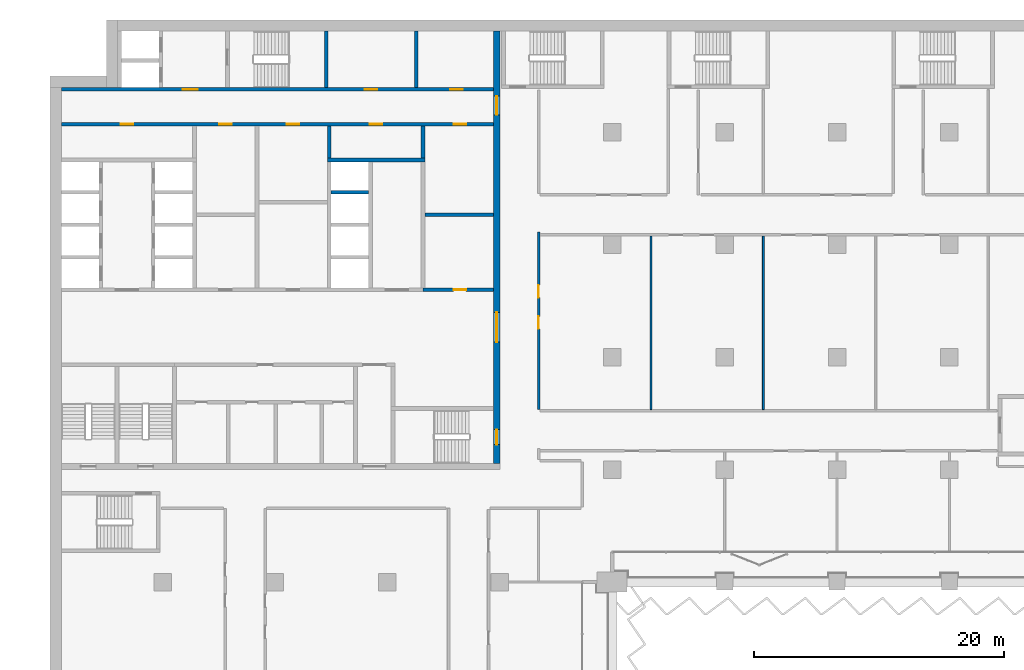
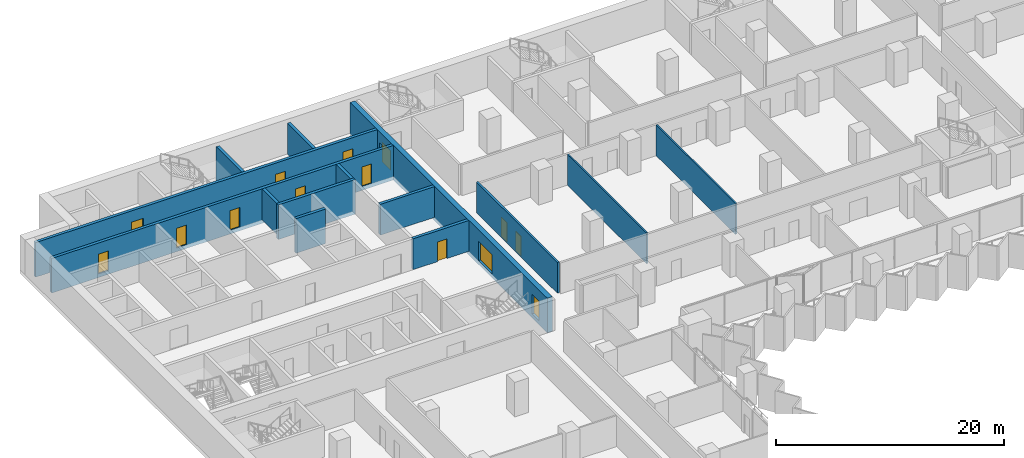
# One storey, part 15 of 28: 14 doors, 14 walls, 14 openings.
"""IFC4 building model written with IfcOpenShell, lengths in metres."""

from ifc_helpers import new_model, si_unit, direction, frame, frame_2d, origin, place, context, subcontext, project, spatial, rectangle, extrude, material, layer, layer_set, type_object, element, fill, save


model = new_model("IFC4")

# Units and contexts
model_context = context("Model", 3, precision=1e-05, world=origin(), true_north=direction((0.0, 1.0)))
body_context = subcontext(model_context, "Body", "Model", "MODEL_VIEW")
ifc_project = project(units=[si_unit("LENGTHUNIT", "METRE"), si_unit("AREAUNIT", "SQUARE_METRE"), si_unit("VOLUMEUNIT", "CUBIC_METRE"), si_unit("PLANEANGLEUNIT", "RADIAN"), si_unit("MASSUNIT", "GRAM", prefix="KILO")], contexts=[model_context])

# Site, building, storey
site_placement = place(None, origin())
site = spatial("IfcSite", under=ifc_project, at=site_placement, CompositionType="ELEMENT")
building_placement = place(site_placement, origin())
building = spatial("IfcBuilding", under=site, at=building_placement, Name="Hunhe Ridgeline Campus", CompositionType="ELEMENT")
storey_placement = place(building_placement, frame((0.0, 0.0, 43.199951171875)))
storey = spatial("IfcBuildingStorey", under=building, at=storey_placement, Name="L09", CompositionType="ELEMENT", Elevation=43.199951171875)

# Wall, opening, door
ifc_material_1 = material(Name="Masonry concrete blockwork", Category="masonry")
ifc_layer_1 = layer(ifc_material_1, 0.300048828125)
ifc_layer_set_1 = layer_set([ifc_layer_1], Name="Core room partition 300 concrete block")
wall_type_1 = type_object("IfcWallType", Name="Core room partition 300 concrete block", PredefinedType="PARTITIONING", material=ifc_layer_set_1)
wall_1_placement = place(storey_placement, frame((29.85009765625, 77.39990234375, 0.0), z_axis=(0.0, 0.0, 1.0), x_axis=(1.0, 0.0, 0.0)))
wall_1 = element("IfcWall", 1, at=wall_1_placement, inside=storey, type_object=wall_type_1, Name="L09 core partition 15", PredefinedType="PARTITIONING", context=body_context, shape_type="SweptSolid", body=[
    extrude(rectangle(XDim=5.64990234375, YDim=0.300048828125, at=frame_2d((2.824951171875, 0.0))), origin(), (0.0, 0.0, 1.0), 3.300048828125),
])
opening_1_placement = place(wall_1_placement, frame((2.449951171875, 0.0, 0.0)))
opening_1 = element("IfcOpeningElement", 2, at=opening_1_placement, cuts=wall_1, Name="Opening CD32", PredefinedType="OPENING", context=body_context, shape_type="SweptSolid", body=[
    extrude(rectangle(XDim=1.0, YDim=2.10009765625, at=frame_2d((0.5, 1.050048828125))), frame((0.0, 0.14990234375, 0.0), z_axis=(0.0, -1.0, 0.0), x_axis=(1.0, 0.0, 0.0)), (0.0, 0.0, 1.0), 0.300048828125),
])
ifc_material_2 = material(Name="Solid core timber door leaf", Category="wood")
door_type_1 = type_object("IfcDoorType", Name="Timber door 1000x2100", OperationType="SINGLE_SWING_LEFT", PredefinedType="DOOR", material=ifc_material_2)
door_1_placement = place(opening_1_placement, origin())
door_1 = element("IfcDoor", 3, at=door_1_placement, inside=storey, type_object=door_type_1, Name="L09 door ES0", OperationType="SINGLE_SWING_RIGHT", OverallHeight=2.10009765625, OverallWidth=1.0, PredefinedType="DOOR", context=body_context, shape_type="SweptSolid", body=[
    extrude(rectangle(XDim=1.0, YDim=2.10009765625, at=frame_2d((0.5, 1.050048828125))), frame((0.0, 0.02490234375, 0.0), z_axis=(0.0, -1.0, 0.0), x_axis=(1.0, 0.0, 0.0)), (0.0, 0.0, 1.0), 0.050048828125),
])
fill(opening_1, door_1)

# Walls
wall_2_placement = place(storey_placement, frame((30.0, 83.39990234375, 0.0), z_axis=(0.0, 0.0, 1.0), x_axis=(1.0, 0.0, 0.0)))
element("IfcWall", 4, at=wall_2_placement, inside=storey, type_object=wall_type_1, Name="L09 core partition 23", PredefinedType="PARTITIONING", context=body_context, shape_type="SweptSolid", body=[
    extrude(rectangle(XDim=5.5, YDim=0.300048828125, at=frame_2d((2.75, 0.0))), origin(), (0.0, 0.0, 1.0), 3.300048828125),
])
wall_3_placement = place(storey_placement, frame((22.35009765625, 87.949951171875, 0.0), z_axis=(0.0, 0.0, 1.0), x_axis=(0.0, 1.0, 0.0)))
element("IfcWall", 5, at=wall_3_placement, inside=storey, type_object=wall_type_1, Name="L09 core partition 55", PredefinedType="PARTITIONING", context=body_context, shape_type="SweptSolid", body=[
    extrude(rectangle(XDim=2.550048828125, YDim=0.300048828125, at=frame_2d((1.27490234375, 0.0))), origin(), (0.0, 0.0, 1.0), 3.300048828125),
])
wall_4_placement = place(storey_placement, frame((29.300048828125, 93.60009765625, 0.0), z_axis=(0.0, 0.0, 1.0), x_axis=(0.0, 1.0, 0.0)))
element("IfcWall", 6, at=wall_4_placement, inside=storey, type_object=wall_type_1, Name="L09 core partition 61", PredefinedType="PARTITIONING", context=body_context, shape_type="SweptSolid", body=[
    extrude(rectangle(XDim=4.5, YDim=0.300048828125, at=frame_2d((2.25, 0.0))), origin(), (0.0, 0.0, 1.0), 3.300048828125),
])
wall_5_placement = place(storey_placement, frame((29.85009765625, 87.949951171875, 0.0), z_axis=(0.0, 0.0, 1.0), x_axis=(0.0, 1.0, 0.0)))
element("IfcWall", 7, at=wall_5_placement, inside=storey, type_object=wall_type_1, Name="L09 core partition 63", PredefinedType="PARTITIONING", context=body_context, shape_type="SweptSolid", body=[
    extrude(rectangle(XDim=2.550048828125, YDim=0.300048828125, at=frame_2d((1.27490234375, 0.0))), origin(), (0.0, 0.0, 1.0), 3.300048828125),
])

# Wall, openings, doors
ifc_material_3 = material(Name="Concrete C80", Category="concrete")
ifc_layer_2 = layer(ifc_material_3, 0.5)
ifc_layer_set_2 = layer_set([ifc_layer_2], Name="Core wall 500 reinforced concrete C80")
wall_type_2 = type_object("IfcWallType", Name="Core wall 500 reinforced concrete C80", PredefinedType="SOLIDWALL", material=ifc_layer_set_2)
wall_6_placement = place(storey_placement, frame((35.75, 63.5, -0.39990234375), z_axis=(0.0, 0.0, 1.0), x_axis=(0.0, 1.0, 0.0)))
wall_6 = element("IfcWall", 8, at=wall_6_placement, inside=storey, type_object=wall_type_2, Name="L09 core wall 64", PredefinedType="SOLIDWALL", context=body_context, shape_type="SweptSolid", body=[
    extrude(rectangle(XDim=34.60009765625, YDim=0.5, at=frame_2d((17.300048828125, 0.0))), origin(), (0.0, 0.0, 1.0), 3.699951171875),
])
opening_2_placement = place(wall_6_placement, frame((9.699951171875, 0.0, 0.39990234375)))
opening_2 = element("IfcOpeningElement", 9, at=opening_2_placement, cuts=wall_6, Name="Opening CD4", PredefinedType="OPENING", context=body_context, shape_type="SweptSolid", body=[
    extrude(rectangle(XDim=2.39990234375, YDim=2.10009765625, at=frame_2d((1.199951171875, 1.050048828125))), frame((0.0, 0.25, 0.0), z_axis=(0.0, -1.0, 0.0), x_axis=(1.0, 0.0, 0.0)), (0.0, 0.0, 1.0), 0.5),
])
opening_3_placement = place(wall_6_placement, frame((27.89990234375, 0.0, 0.39990234375)))
opening_3 = element("IfcOpeningElement", 10, at=opening_3_placement, cuts=wall_6, Name="Opening CD5", PredefinedType="OPENING", context=body_context, shape_type="SweptSolid", body=[
    extrude(rectangle(XDim=1.5, YDim=2.10009765625, at=frame_2d((0.75, 1.050048828125))), frame((0.0, 0.25, 0.0), z_axis=(0.0, -1.0, 0.0), x_axis=(1.0, 0.0, 0.0)), (0.0, 0.0, 1.0), 0.5),
])
opening_4_placement = place(wall_6_placement, frame((1.5, 0.0, 0.39990234375)))
opening_4 = element("IfcOpeningElement", 11, at=opening_4_placement, cuts=wall_6, Name="Opening CD15", PredefinedType="OPENING", context=body_context, shape_type="SweptSolid", body=[
    extrude(rectangle(XDim=1.199951171875, YDim=2.10009765625, at=frame_2d((0.60009765625, 1.050048828125))), frame((0.0, 0.25, 0.0), z_axis=(0.0, -1.0, 0.0), x_axis=(1.0, 0.0, 0.0)), (0.0, 0.0, 1.0), 0.5),
])
ifc_material_4 = material(Name="Anodised aluminium and glass", Category="aluminium")
door_type_2 = type_object("IfcDoorType", Name="Glazed double door 2400x2100", OperationType="DOUBLE_DOOR_SINGLE_SWING", PredefinedType="DOOR", material=ifc_material_4)
door_2_placement = place(opening_2_placement, frame((2.39990234375, 0.0, 0.0), z_axis=(0.0, 0.0, 1.0), x_axis=(-1.0, 0.0, 0.0)))
door_2 = element("IfcDoor", 12, at=door_2_placement, inside=storey, type_object=door_type_2, Name="L09 door HALL-FLOOR", OperationType="DOUBLE_DOOR_SINGLE_SWING", OverallHeight=2.10009765625, OverallWidth=2.39990234375, PredefinedType="DOOR", context=body_context, shape_type="SweptSolid", body=[
    extrude(rectangle(XDim=2.39990234375, YDim=2.10009765625, at=frame_2d((1.199951171875, 1.050048828125))), frame((0.0, 0.02490234375, 0.0), z_axis=(0.0, -1.0, 0.0), x_axis=(1.0, 0.0, 0.0)), (0.0, 0.0, 1.0), 0.050048828125),
])
fill(opening_2, door_2)
ifc_material_5 = material(Name="Hollow metal fire door leaf")
door_type_3 = type_object("IfcDoorType", Name="Stair door 1200x2100 FD60", OperationType="SINGLE_SWING_LEFT", PredefinedType="DOOR", material=ifc_material_5)
door_3_placement = place(opening_4_placement, frame((1.199951171875, 0.0, 0.0), z_axis=(0.0, 0.0, 1.0), x_axis=(-1.0, 0.0, 0.0)))
door_3 = element("IfcDoor", 13, at=door_3_placement, inside=storey, type_object=door_type_3, Name="L09 door S2-FLOOR", OperationType="SINGLE_SWING_RIGHT", OverallHeight=2.10009765625, OverallWidth=1.199951171875, PredefinedType="DOOR", context=body_context, shape_type="SweptSolid", body=[
    extrude(rectangle(XDim=1.199951171875, YDim=2.10009765625, at=frame_2d((0.60009765625, 1.050048828125))), frame((0.0, 0.02490234375, 0.0), z_axis=(0.0, -1.0, 0.0), x_axis=(1.0, 0.0, 0.0)), (0.0, 0.0, 1.0), 0.050048828125),
])
fill(opening_4, door_3)
door_type_4 = type_object("IfcDoorType", Name="Timber door 1500x2100", OperationType="SINGLE_SWING_LEFT", PredefinedType="DOOR", material=ifc_material_2)
door_4_placement = place(opening_3_placement, frame((1.5, 0.0, 0.0), z_axis=(0.0, 0.0, 1.0), x_axis=(-1.0, 0.0, 0.0)))
door_4 = element("IfcDoor", 14, at=door_4_placement, inside=storey, type_object=door_type_4, Name="L09 door C1-FLOOR", OperationType="SINGLE_SWING_RIGHT", OverallHeight=2.10009765625, OverallWidth=1.5, PredefinedType="DOOR", context=body_context, shape_type="SweptSolid", body=[
    extrude(rectangle(XDim=1.5, YDim=2.10009765625, at=frame_2d((0.75, 1.050048828125))), frame((0.0, 0.02490234375, 0.0), z_axis=(0.0, -1.0, 0.0), x_axis=(1.0, 0.0, 0.0)), (0.0, 0.0, 1.0), 0.050048828125),
])
fill(opening_3, door_4)

ifc_material_6 = material(Name="Gypsum board partition")
ifc_layer_3 = layer(ifc_material_6, 0.199951171875)
ifc_layer_set_3 = layer_set([ifc_layer_3], Name="Corridor partition 200 gypsum board on steel studs")
wall_type_3 = type_object("IfcWallType", Name="Corridor partition 200 gypsum board on steel studs", PredefinedType="PARTITIONING", material=ifc_layer_set_3)
wall_7_placement = place(storey_placement, frame((39.10009765625, 82.012451171875, 0.0), z_axis=(0.0, 0.0, 1.0), x_axis=(0.0, -1.0, 0.0)))
wall_7 = element("IfcWall", 15, at=wall_7_placement, inside=storey, type_object=wall_type_3, Name="F-L09-wall-055", PredefinedType="PARTITIONING", context=body_context, shape_type="SweptSolid", body=[
    extrude(rectangle(XDim=14.21240234375, YDim=0.199951171875, at=frame_2d((7.106201171875, 0.0))), origin(), (0.0, 0.0, 1.0), 3.300048828125),
])
opening_5_placement = place(wall_7_placement, frame((6.733154296875, 0.0, 0.0)))
opening_5 = element("IfcOpeningElement", 16, at=opening_5_placement, cuts=wall_7, Name="Opening RD1-032", PredefinedType="OPENING", context=body_context, shape_type="SweptSolid", body=[
    extrude(rectangle(XDim=1.0, YDim=2.10009765625, at=frame_2d((0.5, 1.050048828125))), frame((0.0, 0.10009765625, 0.0), z_axis=(0.0, -1.0, 0.0), x_axis=(1.0, 0.0, 0.0)), (0.0, 0.0, 1.0), 0.199951171875),
])
opening_6_placement = place(wall_7_placement, frame((4.233154296875, 0.0, 0.0)))
opening_6 = element("IfcOpeningElement", 17, at=opening_6_placement, cuts=wall_7, Name="Opening RD1-035", PredefinedType="OPENING", context=body_context, shape_type="SweptSolid", body=[
    extrude(rectangle(XDim=1.0, YDim=2.10009765625, at=frame_2d((0.5, 1.050048828125))), frame((0.0, 0.10009765625, 0.0), z_axis=(0.0, -1.0, 0.0), x_axis=(1.0, 0.0, 0.0)), (0.0, 0.0, 1.0), 0.199951171875),
])
ifc_material_7 = material(Name="Timber door leaf", Category="wood")
door_type_5 = type_object("IfcDoorType", Name="Single fire door 1000x2100 timber FD60", OperationType="NOTDEFINED", PredefinedType="DOOR", material=ifc_material_7)
door_5_placement = place(opening_5_placement, frame((1.0, 0.0, 0.0), z_axis=(0.0, 0.0, 1.0), x_axis=(-1.0, 0.0, 0.0)))
door_5 = element("IfcDoor", 18, at=door_5_placement, inside=storey, type_object=door_type_5, Name="F-L09-door-032", OperationType="SINGLE_SWING_LEFT", OverallHeight=2.10009765625, OverallWidth=1.0, PredefinedType="DOOR", context=body_context, shape_type="SweptSolid", body=[
    extrude(rectangle(XDim=1.0, YDim=2.10009765625, at=frame_2d((0.5, 1.050048828125))), frame((0.0, 0.02490234375, 0.0), z_axis=(0.0, -1.0, 0.0), x_axis=(1.0, 0.0, 0.0)), (0.0, 0.0, 1.0), 0.050048828125),
])
fill(opening_5, door_5)
door_6_placement = place(opening_6_placement, frame((1.0, 0.0, 0.0), z_axis=(0.0, 0.0, 1.0), x_axis=(-1.0, 0.0, 0.0)))
door_6 = element("IfcDoor", 19, at=door_6_placement, inside=storey, type_object=door_type_5, Name="F-L09-door-035", OperationType="SINGLE_SWING_RIGHT", OverallHeight=2.10009765625, OverallWidth=1.0, PredefinedType="DOOR", context=body_context, shape_type="SweptSolid", body=[
    extrude(rectangle(XDim=1.0, YDim=2.10009765625, at=frame_2d((0.5, 1.050048828125))), frame((0.0, 0.02490234375, 0.0), z_axis=(0.0, -1.0, 0.0), x_axis=(1.0, 0.0, 0.0)), (0.0, 0.0, 1.0), 0.050048828125),
])
fill(opening_6, door_6)

ifc_layer_4 = layer(ifc_material_3, 0.300048828125)
ifc_layer_set_4 = layer_set([ifc_layer_4], Name="Lobby wall 300 reinforced concrete C80")
wall_type_4 = type_object("IfcWallType", Name="Lobby wall 300 reinforced concrete C80", PredefinedType="SOLIDWALL", material=ifc_layer_set_4)
wall_8_placement = place(storey_placement, frame((0.89990234375, 90.64990234375, -0.39990234375), z_axis=(0.0, 0.0, 1.0), x_axis=(1.0, 0.0, 0.0)))
wall_8 = element("IfcWall", 20, at=wall_8_placement, inside=storey, type_object=wall_type_4, Name="L09 core wall 30", PredefinedType="SOLIDWALL", context=body_context, shape_type="SweptSolid", body=[
    extrude(rectangle(XDim=34.60009765625, YDim=0.300048828125, at=frame_2d((17.300048828125, 0.0))), origin(), (0.0, 0.0, 1.0), 3.699951171875),
])
opening_7_placement = place(wall_8_placement, frame((4.75, 0.0, 0.39990234375)))
opening_7 = element("IfcOpeningElement", 21, at=opening_7_placement, cuts=wall_8, Name="Opening CD26", PredefinedType="OPENING", context=body_context, shape_type="SweptSolid", body=[
    extrude(rectangle(XDim=1.0, YDim=2.10009765625, at=frame_2d((0.5, 1.050048828125))), frame((0.0, 0.14990234375, 0.0), z_axis=(0.0, -1.0, 0.0), x_axis=(1.0, 0.0, 0.0)), (0.0, 0.0, 1.0), 0.300048828125),
])
opening_8_placement = place(wall_8_placement, frame((24.699951171875, 0.0, 0.39990234375)))
opening_8 = element("IfcOpeningElement", 22, at=opening_8_placement, cuts=wall_8, Name="Opening CD27", PredefinedType="OPENING", context=body_context, shape_type="SweptSolid", body=[
    extrude(rectangle(XDim=1.0, YDim=2.10009765625, at=frame_2d((0.5, 1.050048828125))), frame((0.0, 0.14990234375, 0.0), z_axis=(0.0, -1.0, 0.0), x_axis=(1.0, 0.0, 0.0)), (0.0, 0.0, 1.0), 0.300048828125),
])
opening_9_placement = place(wall_8_placement, frame((12.64990234375, 0.0, 0.39990234375)))
opening_9 = element("IfcOpeningElement", 23, at=opening_9_placement, cuts=wall_8, Name="Opening CD29", PredefinedType="OPENING", context=body_context, shape_type="SweptSolid", body=[
    extrude(rectangle(XDim=1.0, YDim=2.10009765625, at=frame_2d((0.5, 1.050048828125))), frame((0.0, 0.14990234375, 0.0), z_axis=(0.0, -1.0, 0.0), x_axis=(1.0, 0.0, 0.0)), (0.0, 0.0, 1.0), 0.300048828125),
])
opening_10_placement = place(wall_8_placement, frame((18.050048828125, 0.0, 0.39990234375)))
opening_10 = element("IfcOpeningElement", 24, at=opening_10_placement, cuts=wall_8, Name="Opening CD31", PredefinedType="OPENING", context=body_context, shape_type="SweptSolid", body=[
    extrude(rectangle(XDim=1.0, YDim=2.10009765625, at=frame_2d((0.5, 1.050048828125))), frame((0.0, 0.14990234375, 0.0), z_axis=(0.0, -1.0, 0.0), x_axis=(1.0, 0.0, 0.0)), (0.0, 0.0, 1.0), 0.300048828125),
])
opening_11_placement = place(wall_8_placement, frame((31.39990234375, 0.0, 0.39990234375)))
opening_11 = element("IfcOpeningElement", 25, at=opening_11_placement, cuts=wall_8, Name="Opening CD33", PredefinedType="OPENING", context=body_context, shape_type="SweptSolid", body=[
    extrude(rectangle(XDim=1.0, YDim=2.10009765625, at=frame_2d((0.5, 1.050048828125))), frame((0.0, 0.14990234375, 0.0), z_axis=(0.0, -1.0, 0.0), x_axis=(1.0, 0.0, 0.0)), (0.0, 0.0, 1.0), 0.300048828125),
])
door_7_placement = place(opening_7_placement, frame((1.0, 0.0, 0.0), z_axis=(0.0, 0.0, 1.0), x_axis=(-1.0, 0.0, 0.0)))
door_7 = element("IfcDoor", 26, at=door_7_placement, inside=storey, type_object=door_type_1, Name="L09 door NR-0", OperationType="SINGLE_SWING_RIGHT", OverallHeight=2.10009765625, OverallWidth=1.0, PredefinedType="DOOR", context=body_context, shape_type="SweptSolid", body=[
    extrude(rectangle(XDim=1.0, YDim=2.10009765625, at=frame_2d((0.5, 1.050048828125))), frame((0.0, 0.02490234375, 0.0), z_axis=(0.0, -1.0, 0.0), x_axis=(1.0, 0.0, 0.0)), (0.0, 0.0, 1.0), 0.050048828125),
])
fill(opening_7, door_7)
door_8_placement = place(opening_8_placement, frame((1.0, 0.0, 0.0), z_axis=(0.0, 0.0, 1.0), x_axis=(-1.0, 0.0, 0.0)))
door_8 = element("IfcDoor", 27, at=door_8_placement, inside=storey, type_object=door_type_1, Name="L09 door NR-1", OperationType="SINGLE_SWING_LEFT", OverallHeight=2.10009765625, OverallWidth=1.0, PredefinedType="DOOR", context=body_context, shape_type="SweptSolid", body=[
    extrude(rectangle(XDim=1.0, YDim=2.10009765625, at=frame_2d((0.5, 1.050048828125))), frame((0.0, 0.02490234375, 0.0), z_axis=(0.0, -1.0, 0.0), x_axis=(1.0, 0.0, 0.0)), (0.0, 0.0, 1.0), 0.050048828125),
])
fill(opening_8, door_8)
door_9_placement = place(opening_9_placement, frame((1.0, 0.0, 0.0), z_axis=(0.0, 0.0, 1.0), x_axis=(-1.0, 0.0, 0.0)))
door_9 = element("IfcDoor", 28, at=door_9_placement, inside=storey, type_object=door_type_1, Name="L09 door VD-HR1", OperationType="SINGLE_SWING_LEFT", OverallHeight=2.10009765625, OverallWidth=1.0, PredefinedType="DOOR", context=body_context, shape_type="SweptSolid", body=[
    extrude(rectangle(XDim=1.0, YDim=2.10009765625, at=frame_2d((0.5, 1.050048828125))), frame((0.0, 0.02490234375, 0.0), z_axis=(0.0, -1.0, 0.0), x_axis=(1.0, 0.0, 0.0)), (0.0, 0.0, 1.0), 0.050048828125),
])
fill(opening_9, door_9)
door_10_placement = place(opening_10_placement, frame((1.0, 0.0, 0.0), z_axis=(0.0, 0.0, 1.0), x_axis=(-1.0, 0.0, 0.0)))
door_10 = element("IfcDoor", 29, at=door_10_placement, inside=storey, type_object=door_type_1, Name="L09 door VD-HR3", OperationType="SINGLE_SWING_LEFT", OverallHeight=2.10009765625, OverallWidth=1.0, PredefinedType="DOOR", context=body_context, shape_type="SweptSolid", body=[
    extrude(rectangle(XDim=1.0, YDim=2.10009765625, at=frame_2d((0.5, 1.050048828125))), frame((0.0, 0.02490234375, 0.0), z_axis=(0.0, -1.0, 0.0), x_axis=(1.0, 0.0, 0.0)), (0.0, 0.0, 1.0), 0.050048828125),
])
fill(opening_10, door_10)
door_11_placement = place(opening_11_placement, frame((1.0, 0.0, 0.0), z_axis=(0.0, 0.0, 1.0), x_axis=(-1.0, 0.0, 0.0)))
door_11 = element("IfcDoor", 30, at=door_11_placement, inside=storey, type_object=door_type_1, Name="L09 door ES1", OperationType="SINGLE_SWING_RIGHT", OverallHeight=2.10009765625, OverallWidth=1.0, PredefinedType="DOOR", context=body_context, shape_type="SweptSolid", body=[
    extrude(rectangle(XDim=1.0, YDim=2.10009765625, at=frame_2d((0.5, 1.050048828125))), frame((0.0, 0.02490234375, 0.0), z_axis=(0.0, -1.0, 0.0), x_axis=(1.0, 0.0, 0.0)), (0.0, 0.0, 1.0), 0.050048828125),
])
fill(opening_11, door_11)

# Walls
ifc_layer_5 = layer(ifc_material_6, 0.14990234375)
ifc_layer_set_5 = layer_set([ifc_layer_5], Name="Room partition 150 gypsum board on steel studs")
wall_type_5 = type_object("IfcWallType", Name="Room partition 150 gypsum board on steel studs", PredefinedType="PARTITIONING", material=ifc_layer_set_5)
for number, where, z_axis, x_axis, name in (
    (31, (48.10009765625, 81.699951171875, 0.0), (0.0, 0.0, 1.0), (0.0, -1.0, 0.0), "F-L09-wall-058"),
    (32, (57.10009765625, 81.699951171875, 0.0), (0.0, 0.0, 1.0), (0.0, -1.0, 0.0), "F-L09-wall-063"),
):
    element("IfcWall", number, at=place(storey_placement, frame(where, z_axis=z_axis, x_axis=x_axis)), inside=storey, type_object=wall_type_5, Name=name, PredefinedType="PARTITIONING", context=body_context, shape_type="SweptSolid", body=[
        extrude(rectangle(XDim=13.89990234375, YDim=0.14990234375, at=frame_2d((6.949951171875, 0.0))), origin(), (0.0, 0.0, 1.0), 3.300048828125),
    ])
ifc_layer_6 = layer(ifc_material_3, 0.300048828125)
ifc_layer_set_6 = layer_set([ifc_layer_6], Name="Shaft wall 300 reinforced concrete C80")
wall_type_6 = type_object("IfcWallType", Name="Shaft wall 300 reinforced concrete C80", PredefinedType="SOLIDWALL", material=ifc_layer_set_6)
wall_9_placement = place(storey_placement, frame((22.5, 85.199951171875, -0.39990234375), z_axis=(0.0, 0.0, 1.0), x_axis=(1.0, 0.0, 0.0)))
element("IfcWall", 33, at=wall_9_placement, inside=storey, type_object=wall_type_6, Name="L09 core wall 27", PredefinedType="SOLIDWALL", context=body_context, shape_type="SweptSolid", body=[
    extrude(rectangle(XDim=3.0, YDim=0.300048828125, at=frame_2d((1.5, 0.0))), origin(), (0.0, 0.0, 1.0), 3.699951171875),
])
wall_10_placement = place(storey_placement, frame((22.199951171875, 87.800048828125, -0.39990234375), z_axis=(0.0, 0.0, 1.0), x_axis=(1.0, 0.0, 0.0)))
element("IfcWall", 34, at=wall_10_placement, inside=storey, type_object=wall_type_6, Name="L09 core wall 29", PredefinedType="SOLIDWALL", context=body_context, shape_type="SweptSolid", body=[
    extrude(rectangle(XDim=7.800048828125, YDim=0.300048828125, at=frame_2d((3.89990234375, 0.0))), origin(), (0.0, 0.0, 1.0), 3.699951171875),
])

# Wall, openings, doors
wall_11_placement = place(storey_placement, frame((0.89990234375, 93.449951171875, -0.39990234375), z_axis=(0.0, 0.0, 1.0), x_axis=(1.0, 0.0, 0.0)))
wall_11 = element("IfcWall", 35, at=wall_11_placement, inside=storey, type_object=wall_type_6, Name="L09 core wall 31", PredefinedType="SOLIDWALL", context=body_context, shape_type="SweptSolid", body=[
    extrude(rectangle(XDim=34.60009765625, YDim=0.300048828125, at=frame_2d((17.300048828125, 0.0))), origin(), (0.0, 0.0, 1.0), 3.699951171875),
])
opening_12_placement = place(wall_11_placement, frame((9.699951171875, 0.0, 0.39990234375)))
opening_12 = element("IfcOpeningElement", 36, at=opening_12_placement, cuts=wall_11, Name="Opening CD3", PredefinedType="OPENING", context=body_context, shape_type="SweptSolid", body=[
    extrude(rectangle(XDim=1.199951171875, YDim=2.10009765625, at=frame_2d((0.60009765625, 1.050048828125))), frame((0.0, 0.14990234375, 0.0), z_axis=(0.0, -1.0, 0.0), x_axis=(1.0, 0.0, 0.0)), (0.0, 0.0, 1.0), 0.300048828125),
])
opening_13_placement = place(wall_11_placement, frame((24.300048828125, 0.0, 0.39990234375)))
opening_13 = element("IfcOpeningElement", 37, at=opening_13_placement, cuts=wall_11, Name="Opening CD34", PredefinedType="OPENING", context=body_context, shape_type="SweptSolid", body=[
    extrude(rectangle(XDim=1.0, YDim=2.10009765625, at=frame_2d((0.5, 1.050048828125))), frame((0.0, 0.14990234375, 0.0), z_axis=(0.0, -1.0, 0.0), x_axis=(1.0, 0.0, 0.0)), (0.0, 0.0, 1.0), 0.300048828125),
])
opening_14_placement = place(wall_11_placement, frame((31.125, 0.0, 0.39990234375)))
opening_14 = element("IfcOpeningElement", 38, at=opening_14_placement, cuts=wall_11, Name="Opening CD35", PredefinedType="OPENING", context=body_context, shape_type="SweptSolid", body=[
    extrude(rectangle(XDim=1.0, YDim=2.10009765625, at=frame_2d((0.5, 1.050048828125))), frame((0.0, 0.14990234375, 0.0), z_axis=(0.0, -1.0, 0.0), x_axis=(1.0, 0.0, 0.0)), (0.0, 0.0, 1.0), 0.300048828125),
])
door_type_6 = type_object("IfcDoorType", Name="Lobby door 1200x2100 FD60", OperationType="SINGLE_SWING_LEFT", PredefinedType="DOOR", material=ifc_material_5)
door_12_placement = place(opening_12_placement, frame((1.199951171875, 0.0, 0.0), z_axis=(0.0, 0.0, 1.0), x_axis=(-1.0, 0.0, 0.0)))
door_12 = element("IfcDoor", 39, at=door_12_placement, inside=storey, type_object=door_type_6, Name="L09 door FF-C1", OperationType="SINGLE_SWING_LEFT", OverallHeight=2.10009765625, OverallWidth=1.199951171875, PredefinedType="DOOR", context=body_context, shape_type="SweptSolid", body=[
    extrude(rectangle(XDim=1.199951171875, YDim=2.10009765625, at=frame_2d((0.60009765625, 1.050048828125))), frame((0.0, 0.02490234375, 0.0), z_axis=(0.0, -1.0, 0.0), x_axis=(1.0, 0.0, 0.0)), (0.0, 0.0, 1.0), 0.050048828125),
])
fill(opening_12, door_12)
door_13_placement = place(opening_13_placement, origin())
door_13 = element("IfcDoor", 40, at=door_13_placement, inside=storey, type_object=door_type_1, Name="L09 door NB0", OperationType="SINGLE_SWING_RIGHT", OverallHeight=2.10009765625, OverallWidth=1.0, PredefinedType="DOOR", context=body_context, shape_type="SweptSolid", body=[
    extrude(rectangle(XDim=1.0, YDim=2.10009765625, at=frame_2d((0.5, 1.050048828125))), frame((0.0, 0.02490234375, 0.0), z_axis=(0.0, -1.0, 0.0), x_axis=(1.0, 0.0, 0.0)), (0.0, 0.0, 1.0), 0.050048828125),
])
fill(opening_13, door_13)
door_14_placement = place(opening_14_placement, origin())
door_14 = element("IfcDoor", 41, at=door_14_placement, inside=storey, type_object=door_type_1, Name="L09 door NB1", OperationType="SINGLE_SWING_LEFT", OverallHeight=2.10009765625, OverallWidth=1.0, PredefinedType="DOOR", context=body_context, shape_type="SweptSolid", body=[
    extrude(rectangle(XDim=1.0, YDim=2.10009765625, at=frame_2d((0.5, 1.050048828125))), frame((0.0, 0.02490234375, 0.0), z_axis=(0.0, -1.0, 0.0), x_axis=(1.0, 0.0, 0.0)), (0.0, 0.0, 1.0), 0.050048828125),
])
fill(opening_14, door_14)

# Wall
ifc_layer_7 = layer(ifc_material_3, 0.300048828125)
ifc_layer_set_7 = layer_set([ifc_layer_7], Name="Stair wall 300 reinforced concrete C80")
wall_type_7 = type_object("IfcWallType", Name="Stair wall 300 reinforced concrete C80", PredefinedType="SOLIDWALL", material=ifc_layer_set_7)
wall_12_placement = place(storey_placement, frame((22.10009765625, 93.60009765625, -0.39990234375), z_axis=(0.0, 0.0, 1.0), x_axis=(0.0, 1.0, 0.0)))
element("IfcWall", 42, at=wall_12_placement, inside=storey, type_object=wall_type_7, Name="L09 core wall 53", PredefinedType="SOLIDWALL", context=body_context, shape_type="SweptSolid", body=[
    extrude(rectangle(XDim=4.5, YDim=0.300048828125, at=frame_2d((2.25, 0.0))), origin(), (0.0, 0.0, 1.0), 3.699951171875),
])

save(model, "model.ifc")
